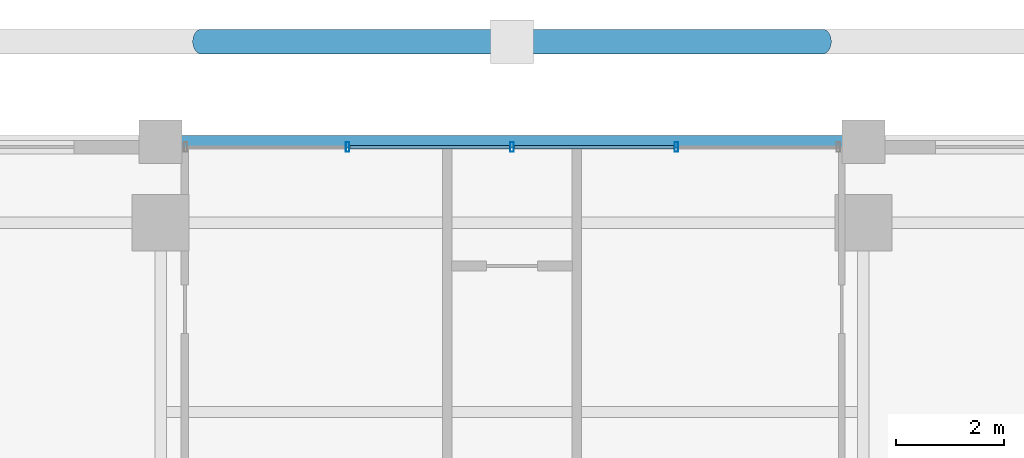
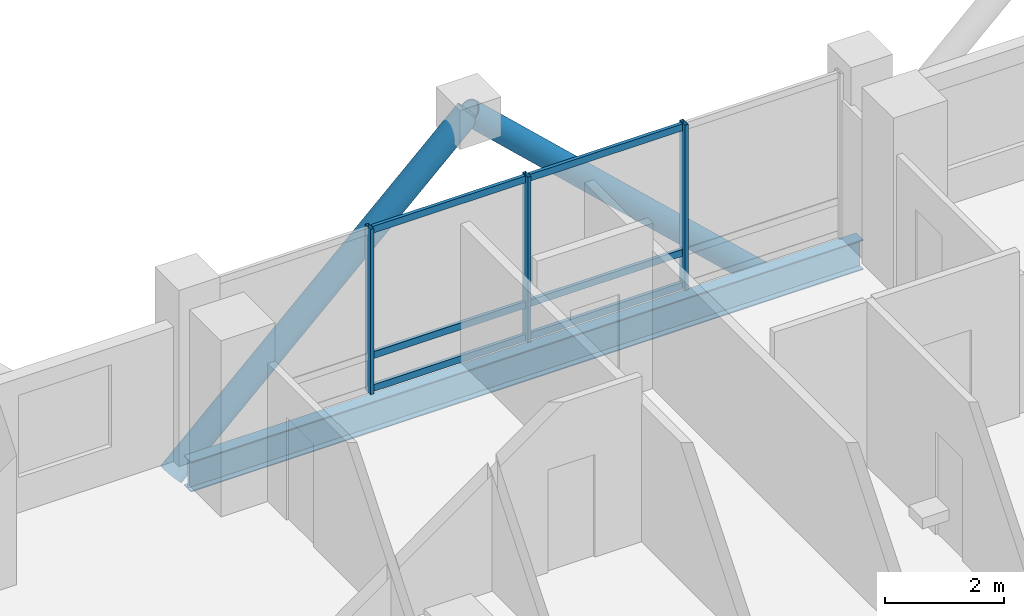
# One storey, part 15 of 24: 11 members, 1 beam, 1 element without a shape of its own.
"""IFC4 building model written with IfcOpenShell, lengths in metres."""

from ifc_helpers import new_model, si_unit, direction, frame, origin, origin_2d, place, context, subcontext, project, spatial, hollow_rectangle, hollow_circle, i_section, extrude, material, layer, layer_set, material_profile, profile_set, type_object, element, aggregate, save


model = new_model("IFC4")

# Units and contexts
model_context = context("Model", 3, precision=1e-05, world=origin(), true_north=direction((0.0, 1.0)))
body_context = subcontext(model_context, "Body", "Model", "MODEL_VIEW")
ifc_project = project(units=[si_unit("LENGTHUNIT", "METRE"), si_unit("AREAUNIT", "SQUARE_METRE"), si_unit("VOLUMEUNIT", "CUBIC_METRE"), si_unit("PLANEANGLEUNIT", "RADIAN"), si_unit("MASSUNIT", "GRAM", prefix="KILO")], contexts=[model_context])

# Site, building, storey
site_placement = place(None, origin())
site = spatial("IfcSite", under=ifc_project, at=site_placement, CompositionType="ELEMENT")
building_placement = place(site_placement, origin())
building = spatial("IfcBuilding", under=site, at=building_placement, Name="Barlavira Tower and Art Museum", CompositionType="ELEMENT")
storey_placement = place(building_placement, frame((0.0, 0.0, 183.60009765625)))
storey = spatial("IfcBuildingStorey", under=building, at=storey_placement, Name="L47", CompositionType="ELEMENT", Elevation=183.60009765625)

# Curtain wall, members
ifc_material_1 = material(Name="Low-iron coastal laminated glass", Category="glass")
ifc_layer = layer(ifc_material_1, 0.199951171875, Name="Low-iron coastal laminated glass")
ifc_layer_set = layer_set([ifc_layer], Name="Low-iron coastal laminated glass")
curtain_wall_type = type_object("IfcCurtainWallType", Name="Pale-Metal Unitised Curtain Wall Zone 3", PredefinedType="NOTDEFINED", material=ifc_layer_set)
curtain_wall_placement = place(storey_placement, origin())
curtain_wall = element("IfcCurtainWall", 1, at=curtain_wall_placement, inside=storey, type_object=curtain_wall_type, Name="L47 Curtain Wall CW3-L47-N-B3", PredefinedType="NOTDEFINED")
ifc_material_2 = material(Name="Pale anodised aluminium", Category="aluminium")
ifc_material_profile_1 = material_profile(ifc_material_2, hollow_rectangle(XDim=0.06494140625, YDim=0.179931640625, WallThickness=0.00390625, at=origin_2d()), Name="ALU-MULL 65x180x4")
ifc_profile_set_1 = profile_set([ifc_material_profile_1], Name="Pale anodised aluminium")
member_type_1 = type_object("IfcMemberType", Name="Curtain Wall Pale-Metal Mullion 65x180", PredefinedType="MULLION", material=ifc_profile_set_1)
member_1_placement = place(storey_placement, frame((3.0400390625, 21.39990234375, 0.0), z_axis=(0.0, 0.0, 1.0), x_axis=(-1.0, 0.0, 0.0)))
member_1 = element("IfcMember", 2, at=member_1_placement, type_object=member_type_1, Name="CW3-L47-N-B3 Mullion 1", PredefinedType="MULLION", context=body_context, shape_type="SweptSolid", body=[
    extrude(hollow_rectangle(XDim=0.06494140625, YDim=0.179931640625, WallThickness=0.00390625, at=origin_2d()), origin(), (0.0, 0.0, 1.0), 3.3798828125),
])
member_2_placement = place(storey_placement, frame((0.0, 21.39990234375, 0.0), z_axis=(0.0, 0.0, 1.0), x_axis=(-1.0, 0.0, 0.0)))
member_2 = element("IfcMember", 3, at=member_2_placement, type_object=member_type_1, Name="CW3-L47-N-B3 Mullion 2", PredefinedType="MULLION", context=body_context, shape_type="SweptSolid", body=[
    extrude(hollow_rectangle(XDim=0.06494140625, YDim=0.179931640625, WallThickness=0.00390625, at=origin_2d()), origin(), (0.0, 0.0, 1.0), 3.3798828125),
])
member_3_placement = place(storey_placement, frame((-3.0400390625, 21.39990234375, 0.0), z_axis=(0.0, 0.0, 1.0), x_axis=(-1.0, 0.0, 0.0)))
member_3 = element("IfcMember", 4, at=member_3_placement, type_object=member_type_1, Name="CW3-L47-N-B3 Mullion 3", PredefinedType="MULLION", context=body_context, shape_type="SweptSolid", body=[
    extrude(hollow_rectangle(XDim=0.06494140625, YDim=0.179931640625, WallThickness=0.00390625, at=origin_2d()), origin(), (0.0, 0.0, 1.0), 3.3798828125),
])
ifc_material_profile_2 = material_profile(ifc_material_2, hollow_rectangle(XDim=0.06494140625, YDim=0.139892578125, WallThickness=0.00390625, at=origin_2d()), Name="ALU-TRAN 65x140x4")
ifc_profile_set_2 = profile_set([ifc_material_profile_2], Name="Pale anodised aluminium")
member_type_2 = type_object("IfcMemberType", Name="Curtain Wall Pale-Metal Transom 65x140", PredefinedType="USERDEFINED", material=ifc_profile_set_2)
member_4_placement = place(storey_placement, frame((2.9951171875, 21.39990234375, 0.06982421875), z_axis=(-1.0, 0.0, 0.0), x_axis=(0.0, -1.0, 0.0)))
member_4 = element("IfcMember", 5, at=member_4_placement, type_object=member_type_2, Name="CW3-L47-N-B3 Transom 1.1", ObjectType="TRANSOM", PredefinedType="USERDEFINED", context=body_context, shape_type="SweptSolid", body=[
    extrude(hollow_rectangle(XDim=0.06494140625, YDim=0.139892578125, WallThickness=0.00390625, at=origin_2d()), origin(), (0.0, 0.0, 1.0), 2.9501953125),
])
member_5_placement = place(storey_placement, frame((2.9951171875, 21.39990234375, 0.743896484375), z_axis=(-1.0, 0.0, 0.0), x_axis=(0.0, -1.0, 0.0)))
member_5 = element("IfcMember", 6, at=member_5_placement, type_object=member_type_2, Name="CW3-L47-N-B3 Transom 1.2", ObjectType="TRANSOM", PredefinedType="USERDEFINED", context=body_context, shape_type="SweptSolid", body=[
    extrude(hollow_rectangle(XDim=0.06494140625, YDim=0.139892578125, WallThickness=0.00390625, at=origin_2d()), origin(), (0.0, 0.0, 1.0), 2.9501953125),
])
member_6_placement = place(storey_placement, frame((2.9951171875, 21.39990234375, 3.309814453125), z_axis=(-1.0, 0.0, 0.0), x_axis=(0.0, -1.0, 0.0)))
member_6 = element("IfcMember", 7, at=member_6_placement, type_object=member_type_2, Name="CW3-L47-N-B3 Transom 1.3", ObjectType="TRANSOM", PredefinedType="USERDEFINED", context=body_context, shape_type="SweptSolid", body=[
    extrude(hollow_rectangle(XDim=0.06494140625, YDim=0.139892578125, WallThickness=0.00390625, at=origin_2d()), origin(), (0.0, 0.0, 1.0), 2.9501953125),
])
member_7_placement = place(storey_placement, frame((-0.044921875, 21.39990234375, 0.06982421875), z_axis=(-1.0, 0.0, 0.0), x_axis=(0.0, -1.0, 0.0)))
member_7 = element("IfcMember", 8, at=member_7_placement, type_object=member_type_2, Name="CW3-L47-N-B3 Transom 2.1", ObjectType="TRANSOM", PredefinedType="USERDEFINED", context=body_context, shape_type="SweptSolid", body=[
    extrude(hollow_rectangle(XDim=0.06494140625, YDim=0.139892578125, WallThickness=0.00390625, at=origin_2d()), origin(), (0.0, 0.0, 1.0), 2.9501953125),
])
member_8_placement = place(storey_placement, frame((-0.044921875, 21.39990234375, 0.743896484375), z_axis=(-1.0, 0.0, 0.0), x_axis=(0.0, -1.0, 0.0)))
member_8 = element("IfcMember", 9, at=member_8_placement, type_object=member_type_2, Name="CW3-L47-N-B3 Transom 2.2", ObjectType="TRANSOM", PredefinedType="USERDEFINED", context=body_context, shape_type="SweptSolid", body=[
    extrude(hollow_rectangle(XDim=0.06494140625, YDim=0.139892578125, WallThickness=0.00390625, at=origin_2d()), origin(), (0.0, 0.0, 1.0), 2.9501953125),
])
member_9_placement = place(storey_placement, frame((-0.044921875, 21.39990234375, 3.309814453125), z_axis=(-1.0, 0.0, 0.0), x_axis=(0.0, -1.0, 0.0)))
member_9 = element("IfcMember", 10, at=member_9_placement, type_object=member_type_2, Name="CW3-L47-N-B3 Transom 2.3", ObjectType="TRANSOM", PredefinedType="USERDEFINED", context=body_context, shape_type="SweptSolid", body=[
    extrude(hollow_rectangle(XDim=0.06494140625, YDim=0.139892578125, WallThickness=0.00390625, at=origin_2d()), origin(), (0.0, 0.0, 1.0), 2.9501953125),
])
aggregate(curtain_wall, [member_1, member_2, member_3, member_4, member_5, member_6, member_7, member_8, member_9])

# Members
ifc_material_3 = material(Name="Steel S355", Category="steel")
ifc_material_profile_3 = material_profile(ifc_material_3, hollow_circle(Radius=0.228515625, WallThickness=0.02001953125, at=origin_2d()), Name="CHS 457.0x20.0")
ifc_profile_set_3 = profile_set([ifc_material_profile_3], Name="Steel S355")
member_type_3 = type_object("IfcMemberType", Name="Pale-Metal Exoskeleton Diagrid Tube CHS 457x20 Steel S355", PredefinedType="BRACE", material=ifc_profile_set_3)
for number, where, z_axis, x_axis, name in (
    (11, (-5.75, 23.35009765625, -1.920166015625), (0.728934650808, 0.0, 0.684583285548), (0.0, 1.0, 0.0), "L47 Exoskeleton Diagrid Tube N"),
    (12, (5.75, 23.35009765625, -1.920166015625), (-0.728934650808, 0.0, 0.684583285548), (0.0, -1.0, 0.0), "L47 Exoskeleton Diagrid Tube N"),
):
    element("IfcMember", number, at=place(storey_placement, frame(where, z_axis=z_axis, x_axis=x_axis)), inside=storey, type_object=member_type_3, Name=name, PredefinedType="BRACE", context=body_context, shape_type="SweptSolid", body=[
        extrude(hollow_circle(Radius=0.228515625, WallThickness=0.02001953125, at=origin_2d()), origin(), (0.0, 0.0, 1.0), 7.88818359375),
    ])

# Beam
ifc_material_profile_4 = material_profile(ifc_material_3, i_section(OverallWidth=0.22998046875, OverallDepth=0.616943359375, WebThickness=0.01318359375, FlangeThickness=0.022216796875, at=origin_2d()), Name="W610x140.0")
ifc_profile_set_4 = profile_set([ifc_material_profile_4], Name="Steel S355")
beam_type = type_object("IfcBeamType", Name="Upper Shaft Spandrel Edge Beam W610x140 Steel S355", PredefinedType="SPANDREL", material=ifc_profile_set_4)
beam_placement = place(storey_placement, frame((-6.5, 21.5, -0.528564453125), z_axis=(1.0, 0.0, 0.0), x_axis=(0.0, 1.0, 0.0)))
element("IfcBeam", 13, at=beam_placement, inside=storey, type_object=beam_type, Name="L47 Spandrel 10", PredefinedType="SPANDREL", context=body_context, shape_type="SweptSolid", body=[
    extrude(i_section(OverallWidth=0.22998046875, OverallDepth=0.616943359375, WebThickness=0.01318359375, FlangeThickness=0.022216796875, at=origin_2d()), origin(), (0.0, 0.0, 1.0), 13.0),
])

save(model, "model.ifc")
